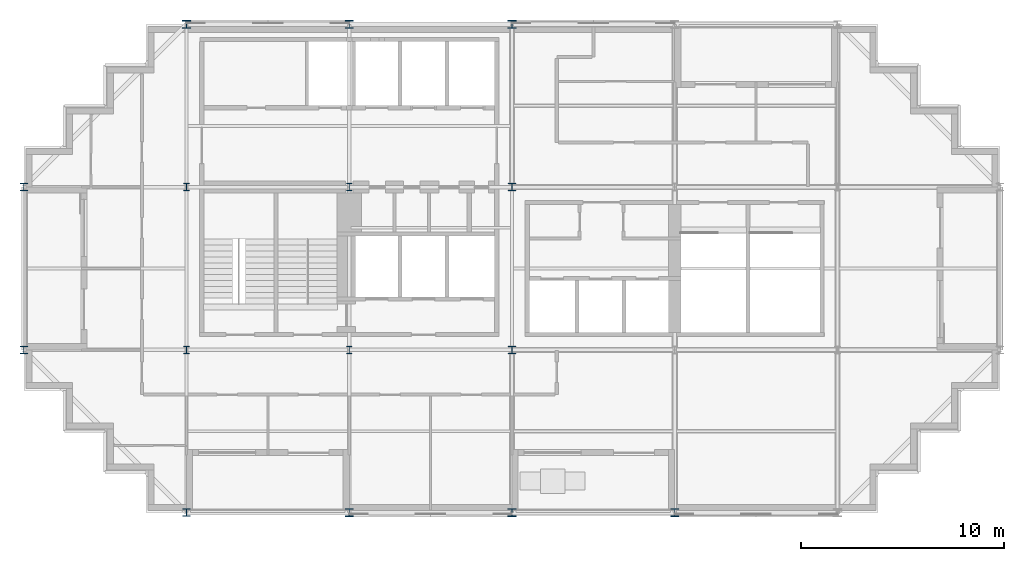
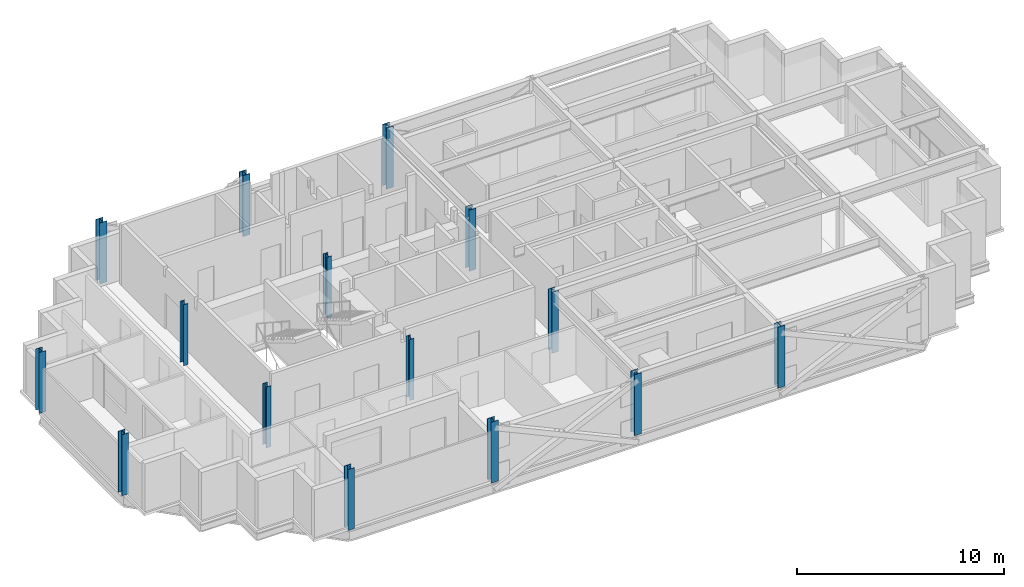
# One storey, part 1 of 10: 15 columns.
"""IFC4 building model written with IfcOpenShell, lengths in metres."""

from ifc_helpers import new_model, si_unit, direction, frame, origin, origin_2d, place, context, subcontext, project, spatial, i_section, extrude, material, material_profile, profile_set, type_object, element, save


model = new_model("IFC4")

# Units and contexts
model_context = context("Model", 3, precision=1e-05, world=origin(), true_north=direction((0.0, 1.0)))
body_context = subcontext(model_context, "Body", "Model", "MODEL_VIEW")
ifc_project = project(units=[si_unit("LENGTHUNIT", "METRE"), si_unit("AREAUNIT", "SQUARE_METRE"), si_unit("VOLUMEUNIT", "CUBIC_METRE"), si_unit("PLANEANGLEUNIT", "RADIAN"), si_unit("MASSUNIT", "GRAM", prefix="KILO")], contexts=[model_context])

# Site, building, storey
site_placement = place(None, origin())
site = spatial("IfcSite", under=ifc_project, at=site_placement, CompositionType="ELEMENT")
building_placement = place(site_placement, origin())
building = spatial("IfcBuilding", under=site, at=building_placement, Name="Immortelle Media Tower", CompositionType="ELEMENT")
storey_placement = place(building_placement, frame((0.0, 0.0, 295.0)))
storey = spatial("IfcBuildingStorey", under=building, at=storey_placement, Name="L65", CompositionType="ELEMENT", Elevation=295.0)

# Columns
ifc_material = material(Name="Steel ASTM A992 Gr 50", Category="steel")
ifc_material_profile_1 = material_profile(ifc_material, i_section(OverallWidth=0.373046875, OverallDepth=0.367919921875, WebThickness=0.014892578125, FlangeThickness=0.02392578125, at=origin_2d()), Name="W14x120")
ifc_profile_set_1 = profile_set([ifc_material_profile_1], Name="Steel ASTM A992 Gr 50")
column_type_1 = type_object("IfcColumnType", Name="W14x120 column", PredefinedType="COLUMN", material=ifc_profile_set_1)
for number, where, z_axis, x_axis, name in (
    (1, (0.0, 8.0, 0.0), (0.0, 0.0, 1.0), (1.0, 0.0, 0.0), "Column 1/B"),
    (2, (0.0, 16.0, 0.0), (0.0, 0.0, 1.0), (1.0, 0.0, 0.0), "Column 1/C"),
    (3, (8.0, 0.0, 0.0), (0.0, 0.0, 1.0), (1.0, 0.0, 0.0), "Column 2/A"),
):
    element("IfcColumn", number, at=place(storey_placement, frame(where, z_axis=z_axis, x_axis=x_axis)), inside=storey, type_object=column_type_1, Name=name, PredefinedType="COLUMN", context=body_context, shape_type="SweptSolid", body=[
        extrude(i_section(OverallWidth=0.373046875, OverallDepth=0.367919921875, WebThickness=0.014892578125, FlangeThickness=0.02392578125, at=origin_2d()), origin(), (0.0, 0.0, 1.0), 3.60009765625),
    ])
ifc_material_profile_2 = material_profile(ifc_material, i_section(OverallWidth=0.39892578125, OverallDepth=0.385986328125, WebThickness=0.02099609375, FlangeThickness=0.032958984375, at=origin_2d()), Name="W14x176")
ifc_profile_set_2 = profile_set([ifc_material_profile_2], Name="Steel ASTM A992 Gr 50")
column_type_2 = type_object("IfcColumnType", Name="W14x176 column", PredefinedType="COLUMN", material=ifc_profile_set_2)
for number, where, z_axis, x_axis, name in (
    (4, (8.0, 24.0, 0.0), (0.0, 0.0, 1.0), (1.0, 0.0, 0.0), "Column 2/D"),
    (5, (16.0, 0.0, 0.0), (0.0, 0.0, 1.0), (1.0, 0.0, 0.0), "Column 3/A"),
    (6, (16.0, 24.0, 0.0), (0.0, 0.0, 1.0), (1.0, 0.0, 0.0), "Column 3/D"),
    (7, (24.0, 0.0, 0.0), (0.0, 0.0, 1.0), (1.0, 0.0, 0.0), "Column 4/A"),
    (8, (24.0, 24.0, 0.0), (0.0, 0.0, 1.0), (1.0, 0.0, 0.0), "Column 4/D"),
    (9, (32.0, 0.0, 0.0), (0.0, 0.0, 1.0), (1.0, 0.0, 0.0), "Column 5/A"),
):
    element("IfcColumn", number, at=place(storey_placement, frame(where, z_axis=z_axis, x_axis=x_axis)), inside=storey, type_object=column_type_2, Name=name, PredefinedType="COLUMN", context=body_context, shape_type="SweptSolid", body=[
        extrude(i_section(OverallWidth=0.39892578125, OverallDepth=0.385986328125, WebThickness=0.02099609375, FlangeThickness=0.032958984375, at=origin_2d()), origin(), (0.0, 0.0, 1.0), 3.60009765625),
    ])
ifc_material_profile_3 = material_profile(ifc_material, i_section(OverallWidth=0.257080078125, OverallDepth=0.363037109375, WebThickness=0.012939453125, FlangeThickness=0.02197265625, at=origin_2d()), Name="W14x82")
ifc_profile_set_3 = profile_set([ifc_material_profile_3], Name="Steel ASTM A992 Gr 50")
column_type_3 = type_object("IfcColumnType", Name="W14x82 column", PredefinedType="COLUMN", material=ifc_profile_set_3)
for number, where, z_axis, x_axis, name in (
    (10, (8.0, 8.0, 0.0), (0.0, 0.0, 1.0), (1.0, 0.0, 0.0), "Column 2/B"),
    (11, (8.0, 16.0, 0.0), (0.0, 0.0, 1.0), (1.0, 0.0, 0.0), "Column 2/C"),
    (12, (16.0, 8.0, 0.0), (0.0, 0.0, 1.0), (1.0, 0.0, 0.0), "Column 3/B"),
    (13, (16.0, 16.0, 0.0), (0.0, 0.0, 1.0), (1.0, 0.0, 0.0), "Column 3/C"),
):
    element("IfcColumn", number, at=place(storey_placement, frame(where, z_axis=z_axis, x_axis=x_axis)), inside=storey, type_object=column_type_3, Name=name, PredefinedType="COLUMN", context=body_context, shape_type="SweptSolid", body=[
        extrude(i_section(OverallWidth=0.257080078125, OverallDepth=0.363037109375, WebThickness=0.012939453125, FlangeThickness=0.02197265625, at=origin_2d()), origin(), (0.0, 0.0, 1.0), 3.60009765625),
    ])
ifc_material_profile_4 = material_profile(ifc_material, i_section(OverallWidth=0.37109375, OverallDepth=0.361083984375, WebThickness=0.011962890625, FlangeThickness=0.02001953125, at=origin_2d()), Name="W14x99")
ifc_profile_set_4 = profile_set([ifc_material_profile_4], Name="Steel ASTM A992 Gr 50")
column_type_4 = type_object("IfcColumnType", Name="W14x99 column", PredefinedType="COLUMN", material=ifc_profile_set_4)
for number, where, z_axis, x_axis, name in (
    (14, (24.0, 8.0, 0.0), (0.0, 0.0, 1.0), (1.0, 0.0, 0.0), "Column 4/B"),
    (15, (24.0, 16.0, 0.0), (0.0, 0.0, 1.0), (1.0, 0.0, 0.0), "Column 4/C"),
):
    element("IfcColumn", number, at=place(storey_placement, frame(where, z_axis=z_axis, x_axis=x_axis)), inside=storey, type_object=column_type_4, Name=name, PredefinedType="COLUMN", context=body_context, shape_type="SweptSolid", body=[
        extrude(i_section(OverallWidth=0.37109375, OverallDepth=0.361083984375, WebThickness=0.011962890625, FlangeThickness=0.02001953125, at=origin_2d()), origin(), (0.0, 0.0, 1.0), 3.60009765625),
    ])

save(model, "model.ifc")
